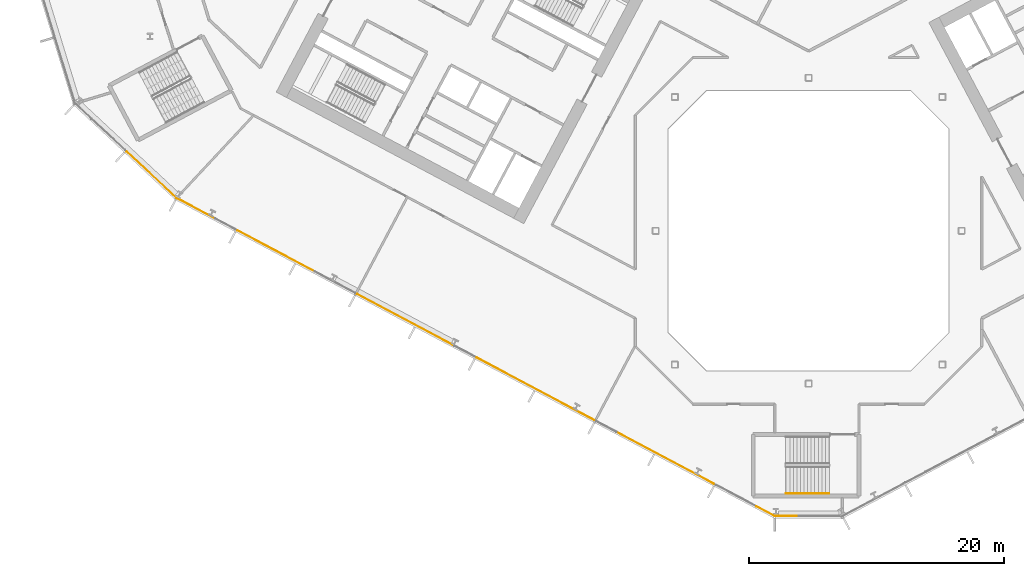
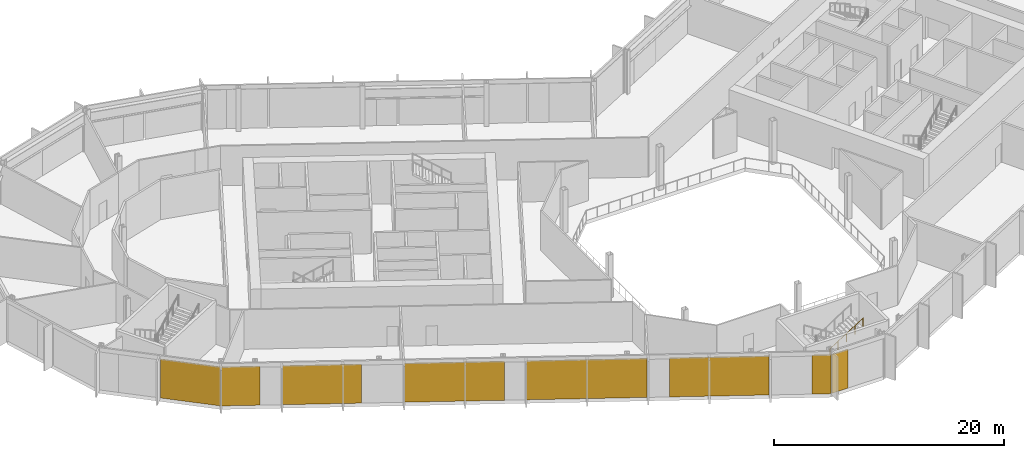
# One storey, part 20 of 30: 8 coverings, 1 railing, 3 elements without a shape of their own.
"""IFC4 building model written with IfcOpenShell, lengths in metres."""

from ifc_helpers import new_model, si_unit, direction, frame, origin, origin_2d, place, context, subcontext, project, spatial, polyline, rectangle, outline, extrude, material, layer, layer_set, type_object, element, aggregate, save


model = new_model("IFC4")

# Units and contexts
model_context = context("Model", 3, precision=1e-05, world=origin(), true_north=direction((0.0, 1.0)))
body_context = subcontext(model_context, "Body", "Model", "MODEL_VIEW")
ifc_project = project(units=[si_unit("LENGTHUNIT", "METRE"), si_unit("AREAUNIT", "SQUARE_METRE"), si_unit("VOLUMEUNIT", "CUBIC_METRE"), si_unit("PLANEANGLEUNIT", "RADIAN"), si_unit("MASSUNIT", "GRAM", prefix="KILO")], contexts=[model_context])

# Site, building, storey
site_placement = place(None, origin())
site = spatial("IfcSite", under=ifc_project, at=site_placement, CompositionType="ELEMENT")
building_placement = place(site_placement, origin())
building = spatial("IfcBuilding", under=site, at=building_placement, Name="Cormorant Relay Tower", CompositionType="ELEMENT")
storey_placement = place(building_placement, frame((0.0, 0.0, 80.0)))
storey = spatial("IfcBuildingStorey", under=building, at=storey_placement, Name="L15", CompositionType="ELEMENT", Elevation=80.0)

# Curtain wall, covering
ifc_material_1 = material(Name="Aluminium 6063-T6 anodised bronze", Category="aluminium")
ifc_layer_1 = layer(ifc_material_1, 0.199951171875)
ifc_layer_set_1 = layer_set([ifc_layer_1], Name="CW1 unitised bronze curtain wall with vertical fins")
curtain_wall_type = type_object("IfcCurtainWallType", Name="CW1 unitised bronze curtain wall with vertical fins", PredefinedType="NOTDEFINED", material=ifc_layer_set_1)
curtain_wall_1_placement = place(storey_placement, origin())
curtain_wall_1 = element("IfcCurtainWall", 1, at=curtain_wall_1_placement, inside=storey, type_object=curtain_wall_type, Name="CW1 curtain wall 1", PredefinedType="NOTDEFINED")
ifc_material_2 = material(Name="Pale bronze anodised aluminium insulated panel", Category="aluminium")
ifc_layer_2 = layer(ifc_material_2, 0.0400390625)
ifc_layer_set_2 = layer_set([ifc_layer_2], Name="CW1 pale bronze insulated panel 40")
covering_type = type_object("IfcCoveringType", Name="CW1 pale bronze insulated panel 40", PredefinedType="CLADDING", material=ifc_layer_set_2)
covering_1_placement = place(storey_placement, frame((-1.762451171875, -22.3955078125, 0.0), z_axis=(0.0, 0.0, 1.0), x_axis=(1.0, 0.0, 0.0)))
covering_1 = element("IfcCovering", 2, at=covering_1_placement, type_object=covering_type, Name="CW1 panel S00", PredefinedType="CLADDING", context=body_context, shape_type="SweptSolid", body=[
    extrude(rectangle(XDim=1.622802734375, YDim=0.0400390625, at=origin_2d()), origin(), (0.0, 0.0, 1.0), 4.14990234375),
])
aggregate(curtain_wall_1, [covering_1])

curtain_wall_2_placement = place(storey_placement, origin())
curtain_wall_2 = element("IfcCurtainWall", 3, at=curtain_wall_2_placement, inside=storey, type_object=curtain_wall_type, Name="CW1 curtain wall 13", PredefinedType="NOTDEFINED")
covering_2_placement = place(storey_placement, frame((-51.565185546875, 4.3974609375, 0.0), z_axis=(0.0, 0.0, 1.0), x_axis=(0.731353701619, -0.681998360062, 0.0)))
covering_2 = element("IfcCovering", 4, at=covering_2_placement, type_object=covering_type, Name="CW1 panel S02", PredefinedType="CLADDING", context=body_context, shape_type="SweptSolid", body=[
    extrude(rectangle(XDim=5.360107421875, YDim=0.0400390625, at=origin_2d()), origin(), (0.0, 0.0, 1.0), 4.14990234375),
])
aggregate(curtain_wall_2, [covering_2])

# Curtain wall, coverings
curtain_wall_3_placement = place(storey_placement, origin())
curtain_wall_3 = element("IfcCurtainWall", 5, at=curtain_wall_3_placement, inside=storey, type_object=curtain_wall_type, Name="CW1 curtain wall 14", PredefinedType="NOTDEFINED")
covering_3_placement = place(storey_placement, frame((-48.048583984375, 1.7412109375, 0.0), z_axis=(0.0, 0.0, 1.0), x_axis=(0.882947592859, -0.469471562786, 0.0)))
covering_3 = element("IfcCovering", 6, at=covering_3_placement, type_object=covering_type, Name="CW1 panel S00", PredefinedType="CLADDING", context=body_context, shape_type="SweptSolid", body=[
    extrude(rectangle(XDim=3.36669921875, YDim=0.0400390625, at=origin_2d()), origin(), (0.0, 0.0, 1.0), 4.14990234375),
])
covering_4_placement = place(storey_placement, frame((-41.8017578125, -1.580322265625, 0.0), z_axis=(0.0, 0.0, 1.0), x_axis=(0.882947592859, -0.469471562786, 0.0)))
covering_4 = element("IfcCovering", 7, at=covering_4_placement, type_object=covering_type, Name="CW1 panel S02", PredefinedType="CLADDING", context=body_context, shape_type="SweptSolid", body=[
    extrude(rectangle(XDim=6.88330078125, YDim=0.0400390625, at=origin_2d()), origin(), (0.0, 0.0, 1.0), 4.14990234375),
])
covering_5_placement = place(storey_placement, frame((-31.618408203125, -6.994873046875, 0.0), z_axis=(0.0, 0.0, 1.0), x_axis=(0.882947592859, -0.469471562786, 0.0)))
covering_5 = element("IfcCovering", 8, at=covering_5_placement, type_object=covering_type, Name="CW1 panel S04", PredefinedType="CLADDING", context=body_context, shape_type="SweptSolid", body=[
    extrude(rectangle(XDim=8.68310546875, YDim=0.0400390625, at=origin_2d()), origin(), (0.0, 0.0, 1.0), 4.14990234375),
])
covering_6_placement = place(storey_placement, frame((-21.435302734375, -12.4091796875, 0.0), z_axis=(0.0, 0.0, 1.0), x_axis=(0.882947592859, -0.469471562786, 0.0)))
covering_6 = element("IfcCovering", 9, at=covering_6_placement, type_object=covering_type, Name="CW1 panel S06", PredefinedType="CLADDING", context=body_context, shape_type="SweptSolid", body=[
    extrude(rectangle(XDim=10.483154296875, YDim=0.0400390625, at=origin_2d()), origin(), (0.0, 0.0, 1.0), 4.14990234375),
])
covering_7_placement = place(storey_placement, frame((-11.252197265625, -17.82373046875, 0.0), z_axis=(0.0, 0.0, 1.0), x_axis=(0.882947592859, -0.469471562786, 0.0)))
covering_7 = element("IfcCovering", 10, at=covering_7_placement, type_object=covering_type, Name="CW1 panel S08", PredefinedType="CLADDING", context=body_context, shape_type="SweptSolid", body=[
    extrude(rectangle(XDim=8.68310546875, YDim=0.0400390625, at=origin_2d()), origin(), (0.0, 0.0, 1.0), 4.14990234375),
])
covering_8_placement = place(storey_placement, frame((-3.383056640625, -22.0078125, 0.0), z_axis=(0.0, 0.0, 1.0), x_axis=(0.882947592859, -0.469471562786, 0.0)))
covering_8 = element("IfcCovering", 11, at=covering_8_placement, type_object=covering_type, Name="CW1 panel S10", PredefinedType="CLADDING", context=body_context, shape_type="SweptSolid", body=[
    extrude(rectangle(XDim=1.6416015625, YDim=0.0400390625, at=origin_2d()), origin(), (0.0, 0.0, 1.0), 4.14990234375),
])
aggregate(curtain_wall_3, [covering_3, covering_4, covering_5, covering_6, covering_7, covering_8])

# Railing
ifc_material_3 = material(Name="Steel ASTM A572 Grade 50 (Fy 345 MPa)", Category="steel")
railing_type = type_object("IfcRailingType", Name="Stair handrail 900", PredefinedType="HANDRAIL", material=ifc_material_3)
railing_placement = place(storey_placement, frame((-1.760009765625, -20.625, 2.476806640625)))
element("IfcRailing", 12, at=railing_placement, inside=storey, type_object=railing_type, Name="L15 RK1 stair handrail 2", PredefinedType="HANDRAIL", context=body_context, shape_type="SweptSolid", body=[
    extrude(outline(polyline([(0.022216796875, 0.00927734375), (0.00927734375, 0.022216796875), (-0.00927734375, 0.022216796875), (-0.022216796875, 0.00927734375), (-0.022216796875, -0.00927734375), (-0.00927734375, -0.022216796875), (0.00927734375, -0.022216796875), (0.022216796875, -0.00927734375), (0.022216796875, 0.00927734375)])), frame((0.0, 0.0, 0.8759765625), z_axis=(0.845361898145, 0.0, 0.534194029511), x_axis=(0.0, 1.0, 0.0)), (0.0, 0.0, 1.0), 3.974853515625),
    extrude(outline(polyline([(0.019287109375, 0.008056640625), (0.008056640625, 0.019287109375), (-0.008056640625, 0.019287109375), (-0.019287109375, 0.008056640625), (-0.019287109375, -0.008056640625), (-0.008056640625, -0.019287109375), (0.008056640625, -0.019287109375), (0.019287109375, -0.008056640625), (0.019287109375, 0.008056640625)])), origin(), (0.0, 0.0, 1.0), 0.851806640625),
    extrude(outline(polyline([(0.019287109375, 0.008056640625), (0.008056640625, 0.019287109375), (-0.008056640625, 0.019287109375), (-0.019287109375, 0.008056640625), (-0.019287109375, -0.008056640625), (-0.008056640625, -0.019287109375), (0.008056640625, -0.019287109375), (0.019287109375, -0.008056640625), (0.019287109375, 0.008056640625)])), frame((0.840087890625, 0.0, 0.53076171875)), (0.0, 0.0, 1.0), 0.851806640625),
    extrude(outline(polyline([(0.019287109375, 0.008056640625), (0.008056640625, 0.019287109375), (-0.008056640625, 0.019287109375), (-0.019287109375, 0.008056640625), (-0.019287109375, -0.008056640625), (-0.008056640625, -0.019287109375), (0.008056640625, -0.019287109375), (0.019287109375, -0.008056640625), (0.019287109375, 0.008056640625)])), frame((1.68017578125, 0.0, 1.0615234375)), (0.0, 0.0, 1.0), 0.851806640625),
    extrude(outline(polyline([(0.019287109375, 0.008056640625), (0.008056640625, 0.019287109375), (-0.008056640625, 0.019287109375), (-0.019287109375, 0.008056640625), (-0.019287109375, -0.008056640625), (-0.008056640625, -0.019287109375), (0.008056640625, -0.019287109375), (0.019287109375, -0.008056640625), (0.019287109375, 0.008056640625)])), frame((2.52001953125, 0.0, 1.592529296875)), (0.0, 0.0, 1.0), 0.851806640625),
    extrude(outline(polyline([(0.019287109375, 0.008056640625), (0.008056640625, 0.019287109375), (-0.008056640625, 0.019287109375), (-0.019287109375, 0.008056640625), (-0.019287109375, -0.008056640625), (-0.008056640625, -0.019287109375), (0.008056640625, -0.019287109375), (0.019287109375, -0.008056640625), (0.019287109375, 0.008056640625)])), frame((3.360107421875, 0.0, 2.123291015625)), (0.0, 0.0, 1.0), 0.851806640625),
])

save(model, "model.ifc")
